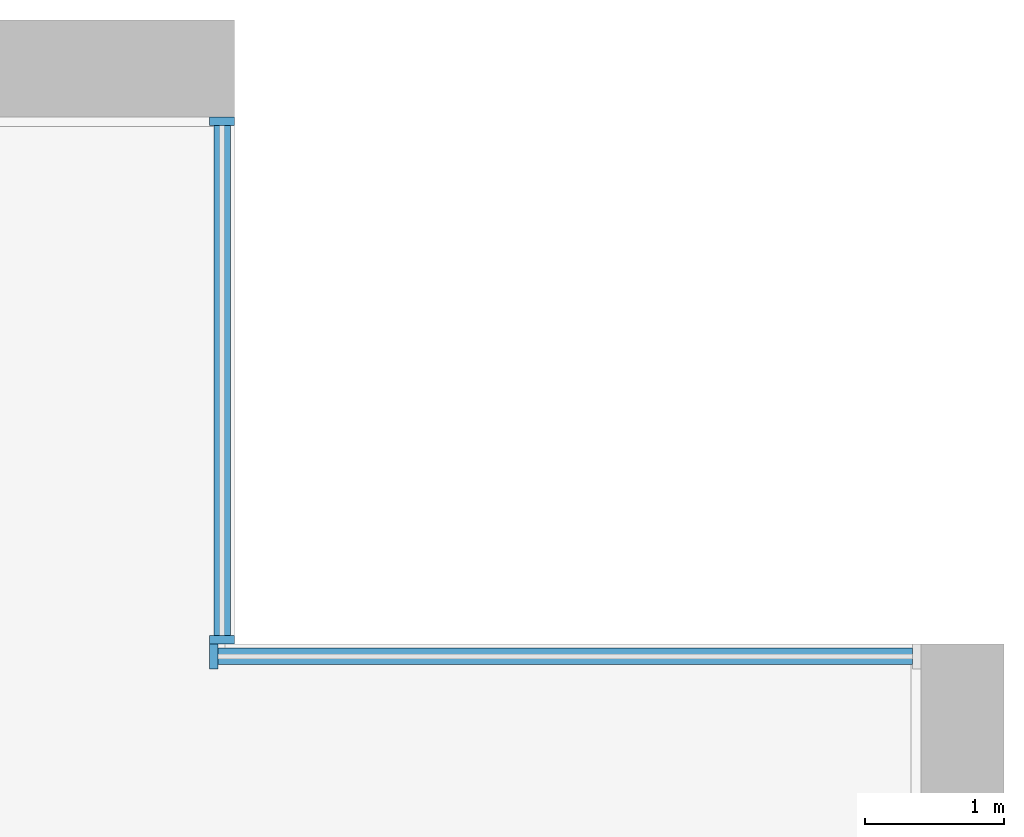
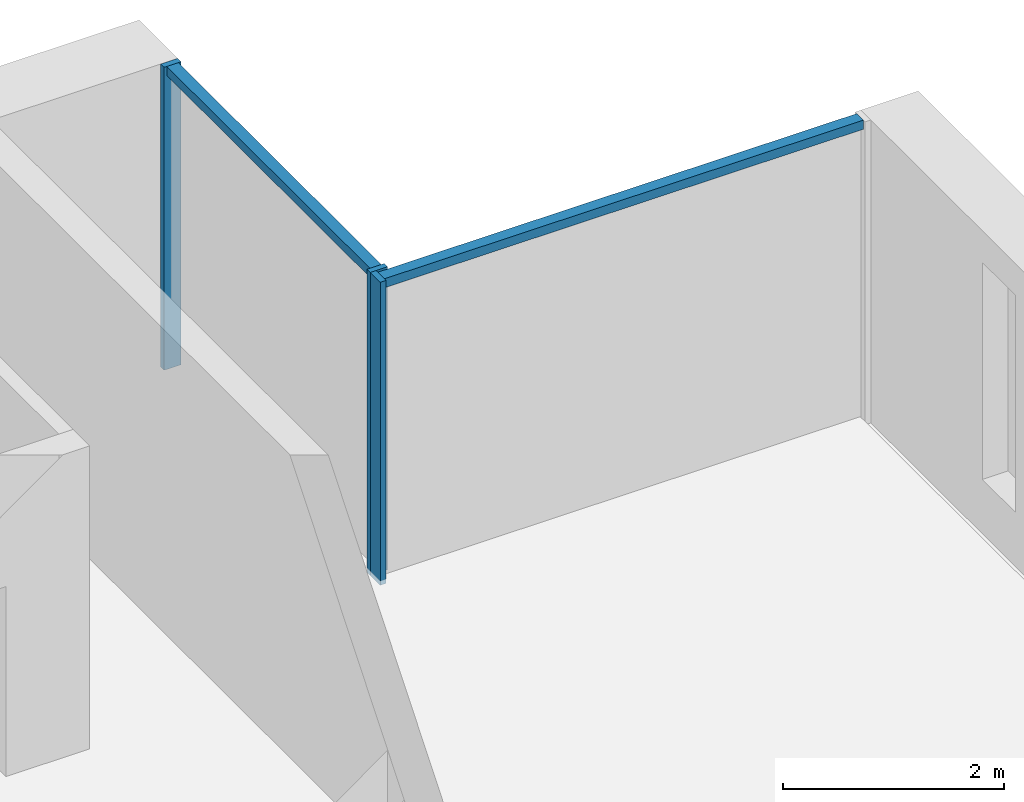
# One storey, part 5 of 17: 5 members, 2 elements without a shape of their own.
"""IFC4 building model written with IfcOpenShell, lengths in metres."""

import ifcopenshell
import ifcopenshell.guid

model = None  # the IFC model being written
_history = None  # IfcOwnerHistory: only IFC2X3 demands one
_inside = {}  # id of a spatial element -> (the spatial element, [elements in it])
_under = {}  # id of a project, library or spatial element -> (it, [spatial elements below it])
_declared = {}  # id of a project -> (the project, [libraries it declares])
_typed = {}  # id of a type object -> (the type object, [elements of that type])
_made_of = {}  # id of a material, layer set ... -> (it, [elements and type objects made of it])


def new_model(schema):
    """Start an empty IFC model of exactly this schema.

    Asked for "IFC4X3", IfcOpenShell would pick the latest addendum, in which some entities
    have other attributes; the version numbers below select the first issue.
    IFC2X3 requires an IfcOwnerHistory on every rooted entity: one is made here for all.
    """
    global model, _history
    if schema == "IFC4X3":
        model = ifcopenshell.file(schema_version=(4, 3, 0, 0))
    else:
        model = ifcopenshell.file(schema=schema)
    _inside.clear()
    _under.clear()
    _declared.clear()
    _typed.clear()
    _made_of.clear()
    _history = None
    if model.schema == "IFC2X3":
        org = make("IfcOrganization", Name="unknown")
        user = make(
            "IfcPersonAndOrganization",
            ThePerson=make("IfcPerson", FamilyName="unknown"),
            TheOrganization=org,
        )
        app = make(
            "IfcApplication",
            ApplicationDeveloper=org,
            Version="unknown",
            ApplicationFullName="unknown",
            ApplicationIdentifier="unknown",
        )
        _history = make(
            "IfcOwnerHistory",
            OwningUser=user,
            OwningApplication=app,
            ChangeAction="ADDED",
            CreationDate=0,
        )
    return model


def make(cls, **values):
    """One entity of the class cls with the attributes given. An attribute that is None is left unset."""
    return model.create_entity(
        cls, **{name: value for name, value in values.items() if value is not None}
    )


def rooted(cls, **values):
    """An entity with a GlobalId (a new one), such as an element, a storey or a relation."""
    return make(cls, GlobalId=ifcopenshell.guid.new(), OwnerHistory=_history, **values)


def si_unit(unit_type, name, prefix=None):
    """IfcSIUnit, for example si_unit("LENGTHUNIT", "METRE", prefix="MILLI")."""
    return make("IfcSIUnit", UnitType=unit_type, Prefix=prefix, Name=name)


def assignment(units):
    """IfcUnitAssignment: the units of a project."""
    return None if units is None else make("IfcUnitAssignment", Units=units)


def point(xyz):
    """IfcCartesianPoint."""
    return None if xyz is None else make("IfcCartesianPoint", Coordinates=xyz)


def direction(xyz):
    """IfcDirection."""
    return None if xyz is None else make("IfcDirection", DirectionRatios=xyz)


def frame(location, z_axis=None, x_axis=None):
    """IfcAxis2Placement3D, a coordinate frame: its origin and axes. An axis left out is left unset."""
    return make(
        "IfcAxis2Placement3D",
        Location=point(location),
        Axis=direction(z_axis),
        RefDirection=direction(x_axis),
    )


def frame_2d(location, x_axis=None):
    """IfcAxis2Placement2D, a coordinate frame in the plane: its origin and x axis."""
    return make(
        "IfcAxis2Placement2D", Location=point(location), RefDirection=direction(x_axis)
    )


def origin():
    """The frame at (0, 0, 0) with its axes left unset."""
    return frame((0.0, 0.0, 0.0))


def origin_2d():
    """The frame at (0, 0) in the plane with its x axis left unset."""
    return frame_2d((0.0, 0.0))


def place(relative_to, where):
    """IfcLocalPlacement: puts the frame where relative to a parent placement (None: the world)."""
    return make(
        "IfcLocalPlacement", PlacementRelTo=relative_to, RelativePlacement=where
    )


def context(
    kind, dimensions, precision=None, world=None, true_north=None, identifier=None
):
    """IfcGeometricRepresentationContext, for example the 3D "Model" context."""
    return make(
        "IfcGeometricRepresentationContext",
        ContextIdentifier=identifier,
        ContextType=kind,
        CoordinateSpaceDimension=dimensions,
        Precision=precision,
        WorldCoordinateSystem=world,
        TrueNorth=true_north,
    )


def subcontext(parent, identifier, kind, view, scale=None):
    """IfcGeometricRepresentationSubContext, for example "Body" below "Model"."""
    return make(
        "IfcGeometricRepresentationSubContext",
        ContextIdentifier=identifier,
        ContextType=kind,
        ParentContext=parent,
        TargetScale=scale,
        TargetView=view,
    )


def project(units=None, contexts=None):
    """IfcProject with its units and contexts."""
    return rooted(
        "IfcProject",
        Name="project",
        RepresentationContexts=contexts,
        UnitsInContext=assignment(units),
    )


def spatial(cls, under=None, at=None, **own):
    """A site, building, storey or space (cls), placed at a placement, below another one or the project."""
    s = rooted(cls, ObjectPlacement=at, **own)
    if under is not None:
        _under.setdefault(under.id(), (under, []))[1].append(s)
    return s


def profile(cls, at=None, kind="AREA", **sizes):
    """A parametric profile (cls). Its sizes go by their IFC names, for example OverallWidth=200.0."""
    return make(cls, ProfileType=kind, Position=at, **sizes)


def rectangle(**sizes):
    """IfcRectangleProfileDef."""
    return profile("IfcRectangleProfileDef", **sizes)


def extrude(swept, where, along, depth):
    """IfcExtrudedAreaSolid: the profile swept, set in the frame where, extruded along a direction by depth."""
    return make(
        "IfcExtrudedAreaSolid",
        SweptArea=swept,
        Position=where,
        ExtrudedDirection=direction(along),
        Depth=depth,
    )


def shape(context_of_items, identifier, shape_type, items):
    """IfcShapeRepresentation: the items that make up one representation, for example the "Body"."""
    return make(
        "IfcShapeRepresentation",
        ContextOfItems=context_of_items,
        RepresentationIdentifier=identifier,
        RepresentationType=shape_type,
        Items=items,
    )


def material(Name=None, Category=None):
    """IfcMaterial."""
    return make("IfcMaterial", Name=Name, Category=Category)


def material_profile(
    of_material, cross_section, Name=None, Category=None, Priority=None
):
    """IfcMaterialProfile: a cross section and its material."""
    return make(
        "IfcMaterialProfile",
        Name=Name,
        Material=of_material,
        Profile=cross_section,
        Priority=Priority,
        Category=Category,
    )


def profile_set(profiles, Name=None, composite=None):
    """IfcMaterialProfileSet."""
    return make(
        "IfcMaterialProfileSet",
        Name=Name,
        MaterialProfiles=profiles,
        CompositeProfile=composite,
    )


def made_of(thing, what):
    """Note that an element or type object is made of a material, layer set ...; save() writes the relation."""
    if what is not None:
        _made_of.setdefault(what.id(), (what, []))[1].append(thing)
    return thing


def type_object(cls, material=None, **own):
    """A type object (cls), such as IfcWallType, which elements share."""
    return made_of(rooted(cls, **own), material)


def element(
    cls,
    number,
    at=None,
    inside=None,
    cuts=None,
    type_object=None,
    material=None,
    context=None,
    identifier="Body",
    shape_type=None,
    held_by="IfcProductDefinitionShape",
    body=None,
    shapes=None,
    **own,
):
    """One element of the class cls, such as IfcWall. Its Tag is "e" and its number.

    at: its placement. inside: the storey or other place that contains it. cuts: it is an
    opening in that element (IfcRelVoidsElement). A single representation is given by context,
    identifier, shape_type and body (its items); several are given by shapes. held_by: the class
    of the entity that holds the representations. save() writes the other relations.
    """
    e = rooted(cls, Tag="e%d" % number, ObjectPlacement=at, **own)
    if body is not None:
        shapes = [shape(context, identifier, shape_type, body)]
    if shapes is not None:
        e.Representation = make(held_by, Representations=shapes)
    if inside is not None:
        _inside.setdefault(inside.id(), (inside, []))[1].append(e)
    if cuts is not None:
        rooted(
            "IfcRelVoidsElement", RelatingBuildingElement=cuts, RelatedOpeningElement=e
        )
    if type_object is not None:
        _typed.setdefault(type_object.id(), (type_object, []))[1].append(e)
    return made_of(e, material)


def aggregate(whole, parts):
    """IfcRelAggregates: a whole, such as a stair, and the parts it consists of."""
    return rooted("IfcRelAggregates", RelatingObject=whole, RelatedObjects=parts)


def save(model, path):
    """Write the relations noted so far, then the file.

    IfcRelAggregates (storeys below a building ...), IfcRelContainedInSpatialStructure (elements
    in a storey), IfcRelDefinesByType, IfcRelAssociatesMaterial and IfcRelDeclares: one each for
    every whole, place, type object, material and project.
    """
    for whole, parts in _under.values():
        aggregate(whole, parts)
    for where, things in _inside.values():
        rooted(
            "IfcRelContainedInSpatialStructure",
            RelatedElements=things,
            RelatingStructure=where,
        )
    for kind, things in _typed.values():
        rooted("IfcRelDefinesByType", RelatedObjects=things, RelatingType=kind)
    for what, things in _made_of.values():
        rooted("IfcRelAssociatesMaterial", RelatedObjects=things, RelatingMaterial=what)
    for by, libraries in _declared.values():
        rooted("IfcRelDeclares", RelatingContext=by, RelatedDefinitions=libraries)
    model.write(path)


model = new_model("IFC4")

# Units and contexts
model_context = context("Model", 3, precision=1e-05, world=origin(), true_north=direction((0.0, 1.0)))
body_context = subcontext(model_context, "Body", "Model", "MODEL_VIEW")
ifc_project = project(units=[si_unit("LENGTHUNIT", "METRE"), si_unit("AREAUNIT", "SQUARE_METRE"), si_unit("VOLUMEUNIT", "CUBIC_METRE"), si_unit("PLANEANGLEUNIT", "RADIAN"), si_unit("MASSUNIT", "GRAM", prefix="KILO")], contexts=[model_context])

# Site, building, storey
site_placement = place(None, origin())
site = spatial("IfcSite", under=ifc_project, at=site_placement, CompositionType="ELEMENT")
building_placement = place(site_placement, origin())
building = spatial("IfcBuilding", under=site, at=building_placement, Name="Calvaro Tower", CompositionType="ELEMENT")
storey_placement = place(building_placement, frame((0.0, 0.0, 204.25)))
storey = spatial("IfcBuildingStorey", under=building, at=storey_placement, Name="L51", CompositionType="ELEMENT", Elevation=204.25)

# Curtain wall, members
ifc_material_1 = material(Name="Anodised aluminium", Category="aluminium")
curtain_wall_type = type_object("IfcCurtainWallType", Name="Office curtain wall, upper zone", PredefinedType="NOTDEFINED", material=ifc_material_1)
curtain_wall_1_placement = place(storey_placement, origin())
curtain_wall_1 = element("IfcCurtainWall", 1, at=curtain_wall_1_placement, inside=storey, type_object=curtain_wall_type, Name="CW3 corner curtain wall", PredefinedType="NOTDEFINED")
ifc_material_2 = material(Name="Anodised aluminium", Category="aluminium")
ifc_material_profile_1 = material_profile(ifc_material_2, rectangle(XDim=0.179931640625, YDim=0.06005859375, at=origin_2d()), Name="Mullion S3 60 x 180")
ifc_profile_set_1 = profile_set([ifc_material_profile_1], Name="Anodised aluminium")
member_type_1 = type_object("IfcMemberType", Name="Mullion S3 60 x 180", PredefinedType="MULLION", material=ifc_profile_set_1)
member_1_placement = place(storey_placement, frame((66.360107421875, 41.530029296875, 0.0), z_axis=(0.0, 0.0, 1.0), x_axis=(-1.0, 0.0, 0.0)))
member_1 = element("IfcMember", 2, at=member_1_placement, type_object=member_type_1, Name="CW3 mullion 1", PredefinedType="MULLION", context=body_context, shape_type="SweptSolid", body=[
    extrude(rectangle(XDim=0.179931640625, YDim=0.06005859375, at=origin_2d()), origin(), (0.0, 0.0, 1.0), 3.35009765625),
])
member_2_placement = place(storey_placement, frame((66.360107421875, 45.27001953125, 0.0), z_axis=(0.0, 0.0, 1.0), x_axis=(-1.0, 0.0, 0.0)))
member_2 = element("IfcMember", 3, at=member_2_placement, type_object=member_type_1, Name="CW3 mullion 2", PredefinedType="MULLION", context=body_context, shape_type="SweptSolid", body=[
    extrude(rectangle(XDim=0.179931640625, YDim=0.06005859375, at=origin_2d()), origin(), (0.0, 0.0, 1.0), 3.35009765625),
])

# Curtain wall, member
curtain_wall_2_placement = place(storey_placement, origin())
curtain_wall_2 = element("IfcCurtainWall", 4, at=curtain_wall_2_placement, inside=storey, type_object=curtain_wall_type, Name="CW3 corner curtain wall", PredefinedType="NOTDEFINED")
member_3_placement = place(storey_placement, frame((66.300048828125, 41.409912109375, 0.0), z_axis=(0.0, 0.0, 1.0), x_axis=(0.0, 1.0, 0.0)))
member_3 = element("IfcMember", 5, at=member_3_placement, type_object=member_type_1, Name="CW3 mullion 1", PredefinedType="MULLION", context=body_context, shape_type="SweptSolid", body=[
    extrude(rectangle(XDim=0.179931640625, YDim=0.06005859375, at=origin_2d()), origin(), (0.0, 0.0, 1.0), 3.35009765625),
])

# Member
ifc_material_3 = material(Name="Anodised aluminium", Category="aluminium")
ifc_material_profile_2 = material_profile(ifc_material_3, rectangle(XDim=0.1201171875, YDim=0.10009765625, at=origin_2d()), Name="Transom S3 100 x 120")
ifc_profile_set_2 = profile_set([ifc_material_profile_2], Name="Anodised aluminium")
member_type_2 = type_object("IfcMemberType", Name="Transom S3 100 x 120", PredefinedType="USERDEFINED", material=ifc_profile_set_2)
member_4_placement = place(storey_placement, frame((66.360107421875, 41.56005859375, 3.300048828125), z_axis=(0.0, 1.0, 0.0), x_axis=(-1.0, 0.0, 0.0)))
member_4 = element("IfcMember", 6, at=member_4_placement, type_object=member_type_2, Name="CW3 transom 1.1", ObjectType="TRANSOM", PredefinedType="USERDEFINED", context=body_context, shape_type="SweptSolid", body=[
    extrude(rectangle(XDim=0.1201171875, YDim=0.10009765625, at=origin_2d()), origin(), (0.0, 0.0, 1.0), 3.679931640625),
])

aggregate(curtain_wall_1, [member_1, member_2, member_4])

member_5_placement = place(storey_placement, frame((66.330078125, 41.409912109375, 3.300048828125), z_axis=(1.0, 0.0, 0.0), x_axis=(0.0, 1.0, 0.0)))
member_5 = element("IfcMember", 7, at=member_5_placement, type_object=member_type_2, Name="CW3 transom 1.1", ObjectType="TRANSOM", PredefinedType="USERDEFINED", context=body_context, shape_type="SweptSolid", body=[
    extrude(rectangle(XDim=0.1201171875, YDim=0.10009765625, at=origin_2d()), origin(), (0.0, 0.0, 1.0), 5.010009765625),
])

aggregate(curtain_wall_2, [member_3, member_5])

save(model, "model.ifc")
